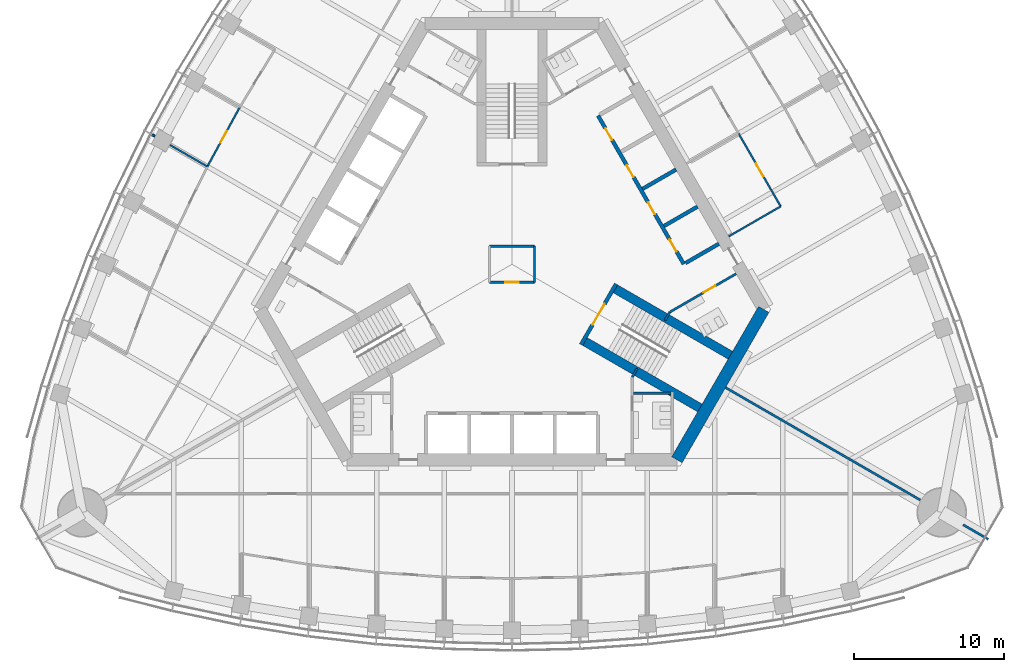
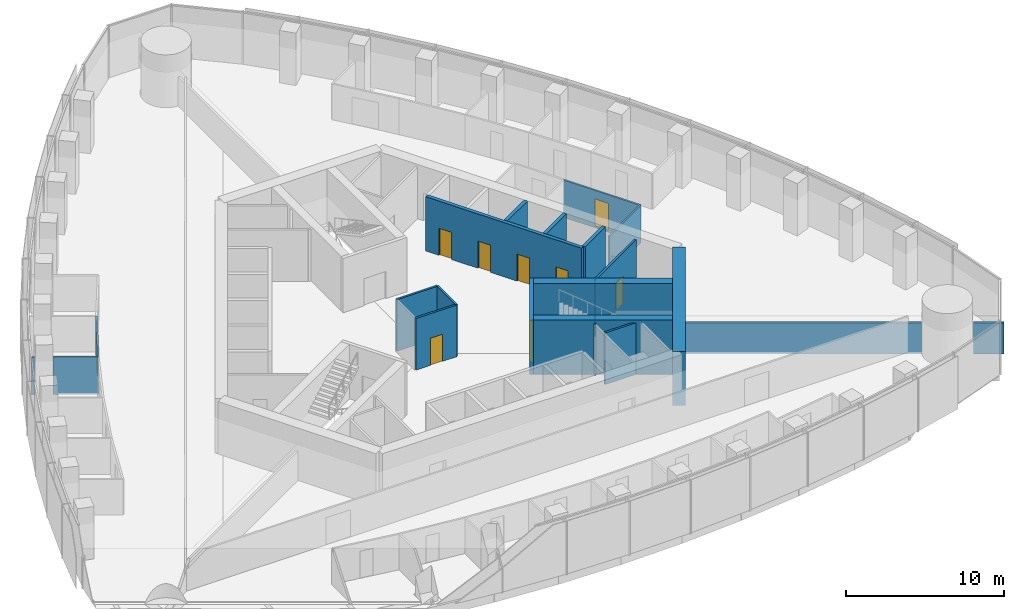
# One storey, part 13 of 20: 22 walls, 9 doors, 9 openings.
"""IFC4 building model written with IfcOpenShell, lengths in metres."""

from ifc_helpers import new_model, si_unit, direction, frame, frame_2d, origin, place, context, subcontext, project, spatial, rectangle, extrude, material, layer, layer_set, type_object, element, fill, save


model = new_model("IFC4")

# Units and contexts
model_context = context("Model", 3, precision=1e-05, world=origin(), true_north=direction((0.0, 1.0)))
body_context = subcontext(model_context, "Body", "Model", "MODEL_VIEW")
ifc_project = project(units=[si_unit("LENGTHUNIT", "METRE"), si_unit("AREAUNIT", "SQUARE_METRE"), si_unit("VOLUMEUNIT", "CUBIC_METRE"), si_unit("PLANEANGLEUNIT", "RADIAN"), si_unit("MASSUNIT", "GRAM", prefix="KILO")], contexts=[model_context])

# Site, building, storey
site_placement = place(None, origin())
site = spatial("IfcSite", under=ifc_project, at=site_placement, CompositionType="ELEMENT")
building_placement = place(site_placement, origin())
building = spatial("IfcBuilding", under=site, at=building_placement, Name="Trefoil Bronze Tower", CompositionType="ELEMENT")
storey_placement = place(building_placement, frame((0.0, 0.0, 219.10009765625)))
storey = spatial("IfcBuildingStorey", under=building, at=storey_placement, Name="L50", CompositionType="ELEMENT", Elevation=219.10009765625)

# Wall
ifc_material_1 = material(Name="Concrete B80", Category="concrete")
ifc_layer_1 = layer(ifc_material_1, 0.800048828125)
ifc_layer_set_1 = layer_set([ifc_layer_1], Name="Core wall 800")
wall_type_1 = type_object("IfcWallType", Name="Core wall 800", PredefinedType="SHEAR", material=ifc_layer_set_1)
wall_1_placement = place(storey_placement, frame((10.9697265625, -13.0, 0.0), z_axis=(0.0, 0.0, 1.0), x_axis=(0.499995765644, 0.866027848477, 0.0)))
element("IfcWall", 1, at=wall_1_placement, inside=storey, type_object=wall_type_1, Name="Core short wall 1 L50", PredefinedType="SHEAR", context=body_context, shape_type="SweptSolid", body=[
    extrude(rectangle(XDim=11.546875, YDim=0.800048828125, at=frame_2d((5.7734375, 0.0))), origin(), (0.0, 0.0, 1.0), 4.199951171875),
])

# Wall, opening, door
ifc_material_2 = material(Name="Glazed partition", Category="glass")
ifc_layer_2 = layer(ifc_material_2, 0.1201171875)
ifc_layer_set_2 = layer_set([ifc_layer_2], Name="Glazed partition 120")
wall_type_2 = type_object("IfcWallType", Name="Glazed partition 120", PredefinedType="PARTITIONING", material=ifc_layer_set_2)
wall_2_placement = place(storey_placement, frame((17.868896484375, 3.850341796875, 0.0), z_axis=(0.0, 0.0, 1.0), x_axis=(-0.500016814911, 0.866015695474, 0.0)))
wall_2 = element("IfcWall", 2, at=wall_2_placement, inside=storey, type_object=wall_type_2, Name="Partition F2 L50", PredefinedType="PARTITIONING", context=body_context, shape_type="SweptSolid", body=[
    extrude(rectangle(XDim=5.599853515625, YDim=0.1201171875, at=frame_2d((2.7998046875, 0.0))), origin(), (0.0, 0.0, 1.0), 2.89990234375),
])
opening_1_placement = place(wall_2_placement, frame((2.300048828125, 0.0, 0.14990234375)))
opening_1 = element("IfcOpeningElement", 3, at=opening_1_placement, cuts=wall_2, Name="Opening D9", PredefinedType="OPENING", context=body_context, shape_type="SweptSolid", body=[
    extrude(rectangle(XDim=1.0, YDim=2.10009765625, at=frame_2d((0.5, 1.050048828125))), frame((0.0, 0.070068359375, 0.0), z_axis=(0.0, -1.0, 0.0), x_axis=(1.0, 0.0, 0.0)), (0.0, 0.0, 1.0), 0.14013671875),
])
ifc_material_3 = material(Name="Glazed timber door", Category="wood")
door_type_1 = type_object("IfcDoorType", Name="Meeting room door 1000", OperationType="SINGLE_SWING_LEFT", PredefinedType="DOOR", material=ifc_material_3)
door_1_placement = place(opening_1_placement, origin())
door_1 = element("IfcDoor", 4, at=door_1_placement, inside=storey, type_object=door_type_1, Name="Meeting room door F2 L50", OperationType="SINGLE_SWING_RIGHT", OverallHeight=2.10009765625, OverallWidth=1.0, PredefinedType="DOOR", context=body_context, shape_type="SweptSolid", body=[
    extrude(rectangle(XDim=1.0, YDim=2.10009765625, at=frame_2d((0.5, 1.050048828125))), frame((0.0, 0.02490234375, 0.0), z_axis=(0.0, -1.0, 0.0), x_axis=(1.0, 0.0, 0.0)), (0.0, 0.0, 1.0), 0.050048828125),
])
fill(opening_1, door_1)

# Wall
wall_3_placement = place(storey_placement, frame((14.40478515625, 1.850341796875, 0.0), z_axis=(0.0, 0.0, 1.0), x_axis=(0.866026010844, 0.49999894854, 0.0)))
element("IfcWall", 5, at=wall_3_placement, inside=storey, type_object=wall_type_2, Name="Partition F2 L50", PredefinedType="PARTITIONING", context=body_context, shape_type="SweptSolid", body=[
    extrude(rectangle(XDim=4.0, YDim=0.1201171875, at=frame_2d((2.0, 0.0))), origin(), (0.0, 0.0, 1.0), 2.89990234375),
])

# Wall, opening, door
wall_4_placement = place(storey_placement, frame((-18.1005859375, 10.450439453125, 0.0), z_axis=(0.0, 0.0, 1.0), x_axis=(-0.479949984371, -0.877295852322, 0.0)))
wall_4 = element("IfcWall", 6, at=wall_4_placement, inside=storey, type_object=wall_type_2, Name="Partition F3 L50", PredefinedType="PARTITIONING", context=body_context, shape_type="SweptSolid", body=[
    extrude(rectangle(XDim=4.501220703125, YDim=0.1201171875, at=frame_2d((2.25048828125, 0.0))), origin(), (0.0, 0.0, 1.0), 2.89990234375),
])
opening_2_placement = place(wall_4_placement, frame((1.800048828125, 0.0, 0.14990234375)))
opening_2 = element("IfcOpeningElement", 7, at=opening_2_placement, cuts=wall_4, Name="Opening D8", PredefinedType="OPENING", context=body_context, shape_type="SweptSolid", body=[
    extrude(rectangle(XDim=0.89990234375, YDim=2.10009765625, at=frame_2d((0.449951171875, 1.050048828125))), frame((0.0, 0.070068359375, 0.0), z_axis=(0.0, -1.0, 0.0), x_axis=(1.0, 0.0, 0.0)), (0.0, 0.0, 1.0), 0.14013671875),
])
ifc_material_4 = material(Name="Timber door", Category="wood")
door_type_2 = type_object("IfcDoorType", Name="Office door 900", OperationType="SINGLE_SWING_LEFT", PredefinedType="DOOR", material=ifc_material_4)
door_2_placement = place(opening_2_placement, frame((0.89990234375, 0.0, 0.0), z_axis=(0.0, 0.0, 1.0), x_axis=(-1.0, 0.0, 0.0)))
door_2 = element("IfcDoor", 8, at=door_2_placement, inside=storey, type_object=door_type_2, Name="Office door F3 L50", OperationType="SINGLE_SWING_RIGHT", OverallHeight=2.10009765625, OverallWidth=0.89990234375, PredefinedType="DOOR", context=body_context, shape_type="SweptSolid", body=[
    extrude(rectangle(XDim=0.89990234375, YDim=2.10009765625, at=frame_2d((0.449951171875, 1.050048828125))), frame((0.0, 0.02490234375, 0.0), z_axis=(0.0, -1.0, 0.0), x_axis=(1.0, 0.0, 0.0)), (0.0, 0.0, 1.0), 0.050048828125),
])
fill(opening_2, door_2)

# Wall
wall_5_placement = place(storey_placement, frame((-20.260986328125, 6.50146484375, 0.0), z_axis=(0.0, 0.0, 1.0), x_axis=(-0.866008413041, 0.500029427677, 0.0)))
element("IfcWall", 9, at=wall_5_placement, inside=storey, type_object=wall_type_2, Name="Partition F3 L50", PredefinedType="PARTITIONING", context=body_context, shape_type="SweptSolid", body=[
    extrude(rectangle(XDim=2.868408203125, YDim=0.1201171875, at=frame_2d((1.43408203125, 0.0))), origin(), (0.0, 0.0, 1.0), 2.89990234375),
])

# Wall, opening, door
ifc_material_5 = material(Name="Gypsum board on steel studs", Category="steel")
ifc_layer_3 = layer(ifc_material_5, 0.14990234375)
ifc_layer_set_3 = layer_set([ifc_layer_3], Name="Partition 150")
wall_type_3 = type_object("IfcWallType", Name="Partition 150", PredefinedType="PARTITIONING", material=ifc_layer_set_3)
wall_6_placement = place(storey_placement, frame((10.4951171875, -3.17822265625, 0.0), z_axis=(0.0, 0.0, 1.0), x_axis=(0.86602216432, 0.500005610874, 0.0)))
wall_6 = element("IfcWall", 10, at=wall_6_placement, inside=storey, type_object=wall_type_3, Name="Passage wall F2- L50", PredefinedType="PARTITIONING", context=body_context, shape_type="SweptSolid", body=[
    extrude(rectangle(XDim=5.10009765625, YDim=0.14990234375, at=frame_2d((2.550048828125, 0.0))), origin(), (0.0, 0.0, 1.0), 4.0),
])
opening_3_placement = place(wall_6_placement, frame((2.60009765625, 0.0, 0.0)))
opening_3 = element("IfcOpeningElement", 11, at=opening_3_placement, cuts=wall_6, Name="Opening D3", PredefinedType="OPENING", context=body_context, shape_type="SweptSolid", body=[
    extrude(rectangle(XDim=0.89990234375, YDim=2.10009765625, at=frame_2d((0.449951171875, 1.050048828125))), frame((0.0, 0.0849609375, 0.0), z_axis=(0.0, -1.0, 0.0), x_axis=(1.0, 0.0, 0.0)), (0.0, 0.0, 1.0), 0.169921875),
])
ifc_material_6 = material(Name="Timber door", Category="wood")
door_type_3 = type_object("IfcDoorType", Name="WC door 900", OperationType="SINGLE_SWING_LEFT", PredefinedType="DOOR", material=ifc_material_6)
door_3_placement = place(opening_3_placement, frame((0.89990234375, 0.0, 0.0), z_axis=(0.0, 0.0, 1.0), x_axis=(-1.0, 0.0, 0.0)))
door_3 = element("IfcDoor", 12, at=door_3_placement, inside=storey, type_object=door_type_3, Name="WC (women) door L50", OperationType="SINGLE_SWING_LEFT", OverallHeight=2.10009765625, OverallWidth=0.89990234375, PredefinedType="DOOR", context=body_context, shape_type="SweptSolid", body=[
    extrude(rectangle(XDim=0.89990234375, YDim=2.10009765625, at=frame_2d((0.449951171875, 1.050048828125))), frame((0.0, 0.02490234375, 0.0), z_axis=(0.0, -1.0, 0.0), x_axis=(1.0, 0.0, 0.0)), (0.0, 0.0, 1.0), 0.050048828125),
])
fill(opening_3, door_3)

# Walls
for number, where, z_axis, x_axis, name in (
    (13, (8.0, -7.5, 0.0), (0.0, 0.0, 1.0), (0.499842556608, 0.866116284689, 0.0), "WC wall ST1-1 L50"),
    (14, (10.4951171875, -3.17822265625, 0.0), (0.0, 0.0, 1.0), (-0.499842556608, -0.866116284689, 0.0), "WC wall ST1+1 L50"),
):
    element("IfcWall", number, at=place(storey_placement, frame(where, z_axis=z_axis, x_axis=x_axis)), inside=storey, type_object=wall_type_3, Name=name, PredefinedType="PARTITIONING", context=body_context, shape_type="SweptSolid", body=[
        extrude(rectangle(XDim=0.645263671875, YDim=0.14990234375, at=frame_2d((0.32275390625, 0.0))), origin(), (0.0, 0.0, 1.0), 4.0),
    ])
wall_7_placement = place(storey_placement, frame((8.074951171875, -8.574951171875, 0.0), z_axis=(0.0, 0.0, 1.0), x_axis=(1.0, 0.0, 0.0)))
element("IfcWall", 15, at=wall_7_placement, inside=storey, type_object=wall_type_3, Name="WC partition WC (men) L50", PredefinedType="PARTITIONING", context=body_context, shape_type="SweptSolid", body=[
    extrude(rectangle(XDim=2.510009765625, YDim=0.14990234375, at=frame_2d((1.2548828125, 0.0))), origin(), (0.0, 0.0, 1.0), 4.0),
])
wall_8_placement = place(storey_placement, frame((-23.749267578125, 8.515380859375, 0.0), z_axis=(0.0, 0.0, 1.0), x_axis=(-0.865810949009, 0.500371262739, 0.0)))
element("IfcWall", 16, at=wall_8_placement, inside=storey, type_object=wall_type_3, Name="Partition F3 L50", PredefinedType="PARTITIONING", context=body_context, shape_type="SweptSolid", body=[
    extrude(rectangle(XDim=0.217041015625, YDim=0.14990234375, at=frame_2d((0.1083984375, 0.0))), origin(), (0.0, 0.0, 1.0), 2.89990234375),
])
ifc_material_7 = material(Name="Gypsum board on steel studs", Category="steel")
ifc_layer_4 = layer(ifc_material_7, 0.14990234375)
ifc_layer_set_4 = layer_set([ifc_layer_4], Name="Party wall 150")
wall_type_4 = type_object("IfcWallType", Name="Party wall 150", PredefinedType="PARTITIONING", material=ifc_layer_set_4)
wall_9_placement = place(storey_placement, frame((14.202880859375, -8.199951171875, 0.0), z_axis=(0.0, 0.0, 1.0), x_axis=(0.866021600284, -0.500006587798, 0.0)))
element("IfcWall", 17, at=wall_9_placement, inside=storey, type_object=wall_type_4, Name="Party wall K1 L50", PredefinedType="PARTITIONING", context=body_context, shape_type="SweptSolid", body=[
    extrude(rectangle(XDim=14.949951171875, YDim=0.14990234375, at=frame_2d((7.47509765625, 0.0))), origin(), (0.0, 0.0, 1.0), 2.39990234375),
])
wall_10_placement = place(storey_placement, frame((30.0078125, -17.324951171875, 0.0), z_axis=(0.0, 0.0, 1.0), x_axis=(0.866013246922, -0.500021055713, 0.0)))
element("IfcWall", 18, at=wall_10_placement, inside=storey, type_object=wall_type_4, Name="Party wall K1 L50", PredefinedType="PARTITIONING", context=body_context, shape_type="SweptSolid", body=[
    extrude(rectangle(XDim=1.9345703125, YDim=0.14990234375, at=frame_2d((0.96728515625, 0.0))), origin(), (0.0, 0.0, 1.0), 2.39990234375),
])

# Wall, opening, door
ifc_material_8 = material(Name="Gypsum board on steel studs", Category="steel")
ifc_layer_5 = layer(ifc_material_8, 0.14990234375)
ifc_layer_set_5 = layer_set([ifc_layer_5], Name="Riser wall 150")
wall_type_5 = type_object("IfcWallType", Name="Riser wall 150", PredefinedType="PARTITIONING", material=ifc_layer_set_5)
wall_11_placement = place(storey_placement, frame((-1.5, -1.199951171875, 0.0), z_axis=(0.0, 0.0, 1.0), x_axis=(1.0, 0.0, 0.0)))
wall_11 = element("IfcWall", 19, at=wall_11_placement, inside=storey, type_object=wall_type_5, Name="Riser wall L50", PredefinedType="PARTITIONING", context=body_context, shape_type="SweptSolid", body=[
    extrude(rectangle(XDim=3.0, YDim=0.14990234375, at=frame_2d((1.5, 0.0))), origin(), (0.0, 0.0, 1.0), 4.0),
])
opening_4_placement = place(wall_11_placement, frame((1.050048828125, 0.0, 0.0)))
opening_4 = element("IfcOpeningElement", 20, at=opening_4_placement, cuts=wall_11, Name="Opening D4", PredefinedType="OPENING", context=body_context, shape_type="SweptSolid", body=[
    extrude(rectangle(XDim=0.89990234375, YDim=2.10009765625, at=frame_2d((0.449951171875, 1.050048828125))), frame((0.0, 0.0849609375, 0.0), z_axis=(0.0, -1.0, 0.0), x_axis=(1.0, 0.0, 0.0)), (0.0, 0.0, 1.0), 0.169921875),
])
ifc_material_9 = material(Name="Steel door", Category="steel")
door_type_4 = type_object("IfcDoorType", Name="Riser door 900", OperationType="SINGLE_SWING_LEFT", PredefinedType="DOOR", material=ifc_material_9)
door_4_placement = place(opening_4_placement, frame((0.89990234375, 0.0, 0.0), z_axis=(0.0, 0.0, 1.0), x_axis=(-1.0, 0.0, 0.0)))
door_4 = element("IfcDoor", 21, at=door_4_placement, inside=storey, type_object=door_type_4, Name="Riser door L50", OperationType="SINGLE_SWING_LEFT", OverallHeight=2.10009765625, OverallWidth=0.89990234375, PredefinedType="DOOR", context=body_context, shape_type="SweptSolid", body=[
    extrude(rectangle(XDim=0.89990234375, YDim=2.10009765625, at=frame_2d((0.449951171875, 1.050048828125))), frame((0.0, 0.02490234375, 0.0), z_axis=(0.0, -1.0, 0.0), x_axis=(1.0, 0.0, 0.0)), (0.0, 0.0, 1.0), 0.050048828125),
])
fill(opening_4, door_4)

# Walls
wall_12_placement = place(storey_placement, frame((1.5, -1.199951171875, 0.0), z_axis=(0.0, 0.0, 1.0), x_axis=(0.0, 1.0, 0.0)))
element("IfcWall", 22, at=wall_12_placement, inside=storey, type_object=wall_type_5, Name="Riser wall L50", PredefinedType="PARTITIONING", context=body_context, shape_type="SweptSolid", body=[
    extrude(rectangle(XDim=2.39990234375, YDim=0.14990234375, at=frame_2d((1.199951171875, 0.0))), origin(), (0.0, 0.0, 1.0), 4.0),
])
wall_13_placement = place(storey_placement, frame((1.5, 1.199951171875, 0.0), z_axis=(0.0, 0.0, 1.0), x_axis=(-1.0, 0.0, 0.0)))
element("IfcWall", 23, at=wall_13_placement, inside=storey, type_object=wall_type_5, Name="Riser wall L50", PredefinedType="PARTITIONING", context=body_context, shape_type="SweptSolid", body=[
    extrude(rectangle(XDim=3.0, YDim=0.14990234375, at=frame_2d((1.5, 0.0))), origin(), (0.0, 0.0, 1.0), 4.0),
])

# Wall, openings, doors
ifc_material_10 = material(Name="Concrete B80", Category="concrete")
ifc_layer_6 = layer(ifc_material_10, 0.25)
ifc_layer_set_6 = layer_set([ifc_layer_6], Name="Shaft wall 250")
wall_type_6 = type_object("IfcWallType", Name="Shaft wall 250", PredefinedType="SHEAR", material=ifc_layer_set_6)
wall_14_placement = place(storey_placement, frame((11.423583984375, 0.013671875, 0.0), z_axis=(0.0, 0.0, 1.0), x_axis=(-0.500001763848, 0.866024385424, 0.0)))
wall_14 = element("IfcWall", 24, at=wall_14_placement, inside=storey, type_object=wall_type_6, Name="Lift shaft front wall B L50", PredefinedType="SHEAR", context=body_context, shape_type="SweptSolid", body=[
    extrude(rectangle(XDim=11.39990234375, YDim=0.25, at=frame_2d((5.699951171875, 0.0))), origin(), (0.0, 0.0, 1.0), 4.199951171875),
])
opening_5_placement = place(wall_14_placement, frame((0.97509765625, 0.0, 0.0)))
opening_5 = element("IfcOpeningElement", 25, at=opening_5_placement, cuts=wall_14, Name="Opening D12", PredefinedType="OPENING", context=body_context, shape_type="SweptSolid", body=[
    extrude(rectangle(XDim=0.89990234375, YDim=2.10009765625, at=frame_2d((0.449951171875, 1.050048828125))), frame((0.0, 0.135009765625, 0.0), z_axis=(0.0, -1.0, 0.0), x_axis=(1.0, 0.0, 0.0)), (0.0, 0.0, 1.0), 0.27001953125),
])
opening_6_placement = place(wall_14_placement, frame((3.824951171875, 0.0, 0.0)))
opening_6 = element("IfcOpeningElement", 26, at=opening_6_placement, cuts=wall_14, Name="Opening D12", PredefinedType="OPENING", context=body_context, shape_type="SweptSolid", body=[
    extrude(rectangle(XDim=0.89990234375, YDim=2.10009765625, at=frame_2d((0.449951171875, 1.050048828125))), frame((0.0, 0.135009765625, 0.0), z_axis=(0.0, -1.0, 0.0), x_axis=(1.0, 0.0, 0.0)), (0.0, 0.0, 1.0), 0.27001953125),
])
opening_7_placement = place(wall_14_placement, frame((6.675048828125, 0.0, 0.0)))
opening_7 = element("IfcOpeningElement", 27, at=opening_7_placement, cuts=wall_14, Name="Opening D12", PredefinedType="OPENING", context=body_context, shape_type="SweptSolid", body=[
    extrude(rectangle(XDim=0.89990234375, YDim=2.10009765625, at=frame_2d((0.449951171875, 1.050048828125))), frame((0.0, 0.135009765625, 0.0), z_axis=(0.0, -1.0, 0.0), x_axis=(1.0, 0.0, 0.0)), (0.0, 0.0, 1.0), 0.27001953125),
])
opening_8_placement = place(wall_14_placement, frame((9.52490234375, 0.0, 0.0)))
opening_8 = element("IfcOpeningElement", 28, at=opening_8_placement, cuts=wall_14, Name="Opening D12", PredefinedType="OPENING", context=body_context, shape_type="SweptSolid", body=[
    extrude(rectangle(XDim=0.89990234375, YDim=2.10009765625, at=frame_2d((0.449951171875, 1.050048828125))), frame((0.0, 0.135009765625, 0.0), z_axis=(0.0, -1.0, 0.0), x_axis=(1.0, 0.0, 0.0)), (0.0, 0.0, 1.0), 0.27001953125),
])
ifc_material_11 = material(Name="Steel door", Category="steel")
door_type_5 = type_object("IfcDoorType", Name="Shaft room door 900", OperationType="SINGLE_SWING_LEFT", PredefinedType="DOOR", material=ifc_material_11)
door_5_placement = place(opening_5_placement, frame((0.89990234375, 0.0, 0.0), z_axis=(0.0, 0.0, 1.0), x_axis=(-1.0, 0.0, 0.0)))
door_5 = element("IfcDoor", 29, at=door_5_placement, inside=storey, type_object=door_type_5, Name="Shaft room door B1 L50", OperationType="SINGLE_SWING_LEFT", OverallHeight=2.10009765625, OverallWidth=0.89990234375, PredefinedType="DOOR", context=body_context, shape_type="SweptSolid", body=[
    extrude(rectangle(XDim=0.89990234375, YDim=2.10009765625, at=frame_2d((0.449951171875, 1.050048828125))), frame((0.0, 0.02490234375, 0.0), z_axis=(0.0, -1.0, 0.0), x_axis=(1.0, 0.0, 0.0)), (0.0, 0.0, 1.0), 0.050048828125),
])
fill(opening_5, door_5)
door_6_placement = place(opening_6_placement, frame((0.89990234375, 0.0, 0.0), z_axis=(0.0, 0.0, 1.0), x_axis=(-1.0, 0.0, 0.0)))
door_6 = element("IfcDoor", 30, at=door_6_placement, inside=storey, type_object=door_type_5, Name="Shaft room door B2 L50", OperationType="SINGLE_SWING_RIGHT", OverallHeight=2.10009765625, OverallWidth=0.89990234375, PredefinedType="DOOR", context=body_context, shape_type="SweptSolid", body=[
    extrude(rectangle(XDim=0.89990234375, YDim=2.10009765625, at=frame_2d((0.449951171875, 1.050048828125))), frame((0.0, 0.02490234375, 0.0), z_axis=(0.0, -1.0, 0.0), x_axis=(1.0, 0.0, 0.0)), (0.0, 0.0, 1.0), 0.050048828125),
])
fill(opening_6, door_6)
door_7_placement = place(opening_7_placement, frame((0.89990234375, 0.0, 0.0), z_axis=(0.0, 0.0, 1.0), x_axis=(-1.0, 0.0, 0.0)))
door_7 = element("IfcDoor", 31, at=door_7_placement, inside=storey, type_object=door_type_5, Name="Shaft room door B3 L50", OperationType="SINGLE_SWING_RIGHT", OverallHeight=2.10009765625, OverallWidth=0.89990234375, PredefinedType="DOOR", context=body_context, shape_type="SweptSolid", body=[
    extrude(rectangle(XDim=0.89990234375, YDim=2.10009765625, at=frame_2d((0.449951171875, 1.050048828125))), frame((0.0, 0.02490234375, 0.0), z_axis=(0.0, -1.0, 0.0), x_axis=(1.0, 0.0, 0.0)), (0.0, 0.0, 1.0), 0.050048828125),
])
fill(opening_7, door_7)
door_8_placement = place(opening_8_placement, frame((0.89990234375, 0.0, 0.0), z_axis=(0.0, 0.0, 1.0), x_axis=(-1.0, 0.0, 0.0)))
door_8 = element("IfcDoor", 32, at=door_8_placement, inside=storey, type_object=door_type_5, Name="Shaft room door B4 L50", OperationType="SINGLE_SWING_RIGHT", OverallHeight=2.10009765625, OverallWidth=0.89990234375, PredefinedType="DOOR", context=body_context, shape_type="SweptSolid", body=[
    extrude(rectangle(XDim=0.89990234375, YDim=2.10009765625, at=frame_2d((0.449951171875, 1.050048828125))), frame((0.0, 0.02490234375, 0.0), z_axis=(0.0, -1.0, 0.0), x_axis=(1.0, 0.0, 0.0)), (0.0, 0.0, 1.0), 0.050048828125),
])
fill(opening_8, door_8)

# Walls
for number, where, z_axis, x_axis, name in (
    (33, (11.531982421875, 0.076171875, 0.0), (0.0, 0.0, 1.0), (0.866005588531, 0.500034319456, 0.0), "Lift shaft side wall B0 L50"),
    (34, (10.10693359375, 2.54443359375, 0.0), (0.0, 0.0, 1.0), (0.866046643894, 0.499963209246, 0.0), "Lift shaft side wall B1 L50"),
    (35, (8.681884765625, 5.012451171875, 0.0), (0.0, 0.0, 1.0), (0.866005588531, 0.500034319456, 0.0), "Lift shaft side wall B2 L50"),
):
    element("IfcWall", number, at=place(storey_placement, frame(where, z_axis=z_axis, x_axis=x_axis)), inside=storey, type_object=wall_type_6, Name=name, PredefinedType="SHEAR", context=body_context, shape_type="SweptSolid", body=[
        extrude(rectangle(XDim=2.574951171875, YDim=0.25, at=frame_2d((1.28759765625, 0.0))), origin(), (0.0, 0.0, 1.0), 4.199951171875),
    ])

# Wall, opening, door
wall_15_placement = place(storey_placement, frame((4.5966796875, -5.338623046875, 0.0), z_axis=(0.0, 0.0, 1.0), x_axis=(0.499984536904, 0.866034331223, 0.0)))
wall_15 = element("IfcWall", 36, at=wall_15_placement, inside=storey, type_object=wall_type_6, Name="Stair end wall ST1 L50", PredefinedType="SHEAR", context=body_context, shape_type="SweptSolid", body=[
    extrude(rectangle(XDim=4.650146484375, YDim=0.25, at=frame_2d((2.3251953125, 0.0))), origin(), (0.0, 0.0, 1.0), 4.199951171875),
])
opening_9_placement = place(wall_15_placement, frame((1.52490234375, 0.0, 0.0)))
opening_9 = element("IfcOpeningElement", 37, at=opening_9_placement, cuts=wall_15, Name="Opening D1", PredefinedType="OPENING", context=body_context, shape_type="SweptSolid", body=[
    extrude(rectangle(XDim=1.60009765625, YDim=2.10009765625, at=frame_2d((0.800048828125, 1.050048828125))), frame((0.0, 0.135009765625, 0.0), z_axis=(0.0, -1.0, 0.0), x_axis=(1.0, 0.0, 0.0)), (0.0, 0.0, 1.0), 0.27001953125),
])
ifc_material_12 = material(Name="Steel door", Category="steel")
door_type_6 = type_object("IfcDoorType", Name="Stair door 1600", OperationType="DOUBLE_DOOR_SINGLE_SWING", PredefinedType="DOOR", material=ifc_material_12)
door_9_placement = place(opening_9_placement, frame((1.60009765625, 0.0, 0.0), z_axis=(0.0, 0.0, 1.0), x_axis=(-1.0, 0.0, 0.0)))
door_9 = element("IfcDoor", 38, at=door_9_placement, inside=storey, type_object=door_type_6, Name="Stair door ST1 L50", OperationType="DOUBLE_DOOR_SINGLE_SWING", OverallHeight=2.10009765625, OverallWidth=1.60009765625, PredefinedType="DOOR", context=body_context, shape_type="SweptSolid", body=[
    extrude(rectangle(XDim=1.60009765625, YDim=2.10009765625, at=frame_2d((0.800048828125, 1.050048828125))), frame((0.0, 0.02490234375, 0.0), z_axis=(0.0, -1.0, 0.0), x_axis=(1.0, 0.0, 0.0)), (0.0, 0.0, 1.0), 0.050048828125),
])
fill(opening_9, door_9)

# Walls
ifc_material_13 = material(Name="Concrete B80", Category="concrete")
ifc_layer_7 = layer(ifc_material_13, 0.60009765625)
ifc_layer_set_7 = layer_set([ifc_layer_7], Name="Stair wall 600")
wall_type_7 = type_object("IfcWallType", Name="Stair wall 600", PredefinedType="SHEAR", material=ifc_layer_set_7)
for number, where, z_axis, x_axis, name in (
    (39, (4.638427734375, -5.01611328125, 0.0), (0.0, 0.0, 1.0), (0.866019375473, -0.500010441196, 0.0), "Stair wall ST1 L50"),
    (40, (6.663330078125, -1.5087890625, 0.0), (0.0, 0.0, 1.0), (0.866019375473, -0.500010441196, 0.0), "Stair wall ST1 L50"),
):
    element("IfcWall", number, at=place(storey_placement, frame(where, z_axis=z_axis, x_axis=x_axis)), inside=storey, type_object=wall_type_7, Name=name, PredefinedType="SHEAR", context=body_context, shape_type="SweptSolid", body=[
        extrude(rectangle(XDim=9.074951171875, YDim=0.60009765625, at=frame_2d((4.53759765625, 0.0))), origin(), (0.0, 0.0, 1.0), 4.199951171875),
    ])

save(model, "model.ifc")
